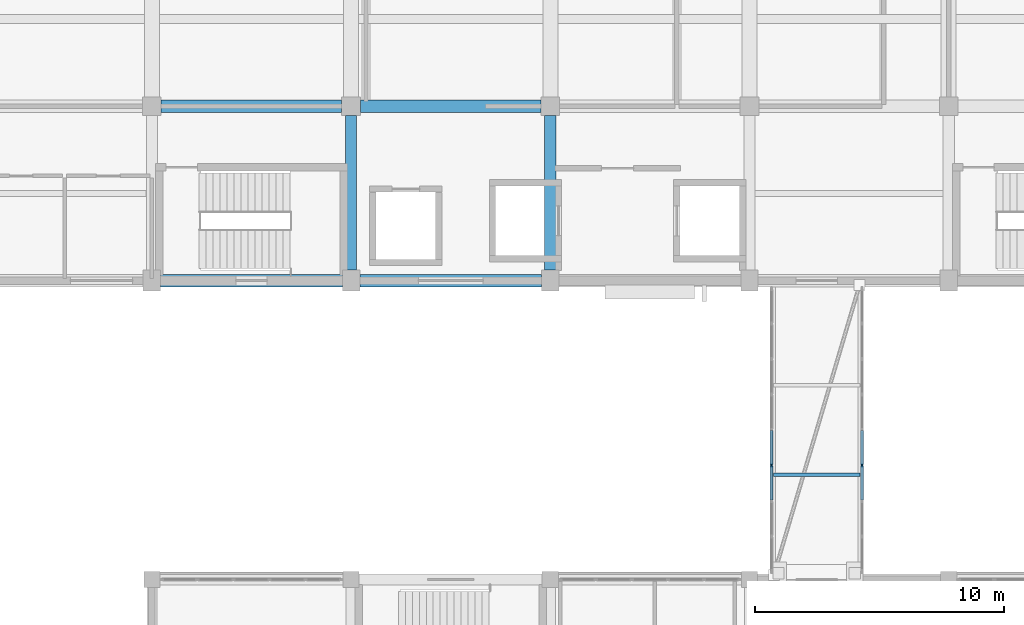
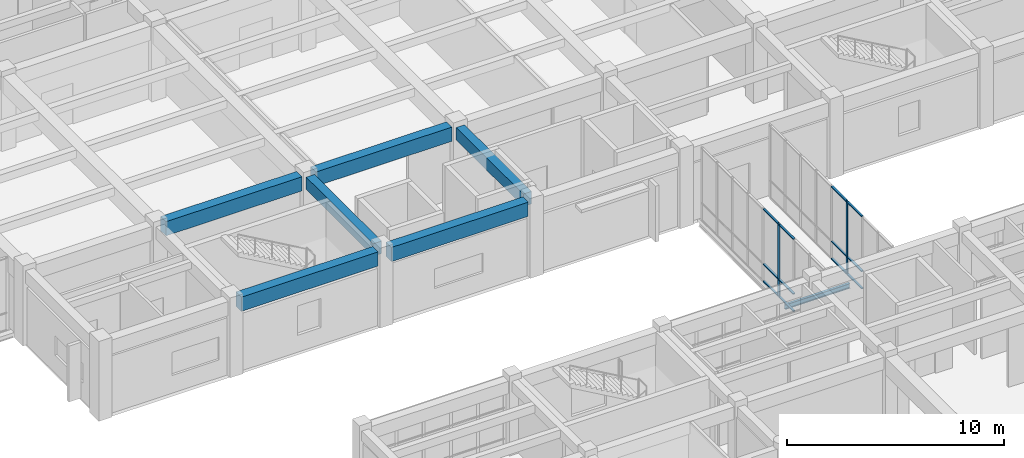
# One storey, part 23 of 70: 14 members, 7 beams, 2 elements without a shape of their own.
"""IFC4 building model written with IfcOpenShell, lengths in metres."""

from ifc_helpers import new_model, si_unit, direction, frame, origin, origin_2d, place, context, subcontext, project, spatial, rectangle, i_section, extrude, material, layer, layer_set, material_profile, profile_set, type_object, element, aggregate, save


model = new_model("IFC4")

# Units and contexts
model_context = context("Model", 3, precision=1e-05, world=origin(), true_north=direction((0.0, 1.0)))
body_context = subcontext(model_context, "Body", "Model", "MODEL_VIEW")
ifc_project = project(units=[si_unit("LENGTHUNIT", "METRE"), si_unit("AREAUNIT", "SQUARE_METRE"), si_unit("VOLUMEUNIT", "CUBIC_METRE"), si_unit("PLANEANGLEUNIT", "RADIAN"), si_unit("MASSUNIT", "GRAM", prefix="KILO")], contexts=[model_context])

# Site, building, storey
site_placement = place(None, origin())
site = spatial("IfcSite", under=ifc_project, at=site_placement, CompositionType="ELEMENT")
building_placement = place(site_placement, origin())
building = spatial("IfcBuilding", under=site, at=building_placement, Name="Naurynzar Civic Courthouse", CompositionType="ELEMENT")
storey_placement = place(building_placement, frame((0.0, 0.0, 5.39990234375)))
storey = spatial("IfcBuildingStorey", under=building, at=storey_placement, Name="L02", CompositionType="ELEMENT", Elevation=5.39990234375)

# Beams
ifc_material_1 = material(Name="Concrete C40/50", Category="concrete")
ifc_material_profile_1 = material_profile(ifc_material_1, rectangle(XDim=0.449951171875, YDim=0.699951171875, at=origin_2d()), Name="RCB 450x700")
ifc_profile_set_1 = profile_set([ifc_material_profile_1], Name="Concrete C40/50")
beam_type_1 = type_object("IfcBeamType", Name="BM-RC-450x700", PredefinedType="BEAM", material=ifc_profile_set_1)
for number, where, z_axis, x_axis, name in (
    (1, (77.0, 44.425048828125, 3.85009765625), (0.0, 1.0, 0.0), (-1.0, 0.0, 0.0), "V2 girder Y-505 L02"),
    (2, (85.0, 44.425048828125, 3.85009765625), (0.0, 1.0, 0.0), (-1.0, 0.0, 0.0), "V2 girder Y-508 L02"),
):
    element("IfcBeam", number, at=place(storey_placement, frame(where, z_axis=z_axis, x_axis=x_axis)), inside=storey, type_object=beam_type_1, Name=name, PredefinedType="BEAM", context=body_context, shape_type="SweptSolid", body=[
        extrude(rectangle(XDim=0.449951171875, YDim=0.699951171875, at=origin_2d()), origin(), (0.0, 0.0, 1.0), 6.199951171875),
    ])
ifc_material_2 = material(Name="Concrete C40/50", Category="concrete")
ifc_material_profile_2 = material_profile(ifc_material_2, rectangle(XDim=0.5, YDim=0.800048828125, at=origin_2d()), Name="RCB 500x800")
ifc_profile_set_2 = profile_set([ifc_material_profile_2], Name="Concrete C40/50")
beam_type_2 = type_object("IfcBeamType", Name="BM-RC-500x800", PredefinedType="BEAM", material=ifc_profile_set_2)
for number, where, z_axis, x_axis, name in (
    (3, (69.35009765625, 44.0, 3.800048828125), (1.0, 0.0, 0.0), (0.0, 1.0, 0.0), "V2 beam X-468 L02"),
    (4, (77.35009765625, 44.0, 3.800048828125), (1.0, 0.0, 0.0), (0.0, 1.0, 0.0), "V2 beam X-469 L02"),
):
    element("IfcBeam", number, at=place(storey_placement, frame(where, z_axis=z_axis, x_axis=x_axis)), inside=storey, type_object=beam_type_2, Name=name, PredefinedType="BEAM", context=body_context, shape_type="SweptSolid", body=[
        extrude(rectangle(XDim=0.5, YDim=0.800048828125, at=origin_2d()), origin(), (0.0, 0.0, 1.0), 7.2998046875),
    ])
for number, where, z_axis, x_axis, name in (
    (5, (69.375, 51.0, 3.800048828125), (1.0, 0.0, 0.0), (0.0, 1.0, 0.0), "V2 beam X-476 L02"),
    (6, (77.375, 51.0, 3.800048828125), (1.0, 0.0, 0.0), (0.0, 1.0, 0.0), "V2 beam X-477 L02"),
):
    element("IfcBeam", number, at=place(storey_placement, frame(where, z_axis=z_axis, x_axis=x_axis)), inside=storey, type_object=beam_type_2, Name=name, PredefinedType="BEAM", context=body_context, shape_type="SweptSolid", body=[
        extrude(rectangle(XDim=0.5, YDim=0.800048828125, at=origin_2d()), origin(), (0.0, 0.0, 1.0), 7.25),
    ])
ifc_material_3 = material(Name="Steel S355", Category="steel")
ifc_material_profile_3 = material_profile(ifc_material_3, i_section(OverallWidth=0.135009765625, OverallDepth=0.27001953125, WebThickness=0.006591796875, FlangeThickness=0.01025390625, FilletRadius=0.014892578125, at=origin_2d()), Name="IPE 270")
ifc_profile_set_3 = profile_set([ifc_material_profile_3], Name="Steel S355")
beam_type_3 = type_object("IfcBeamType", Name="BM-STL-IPE270", PredefinedType="BEAM", material=ifc_profile_set_3)
beam_placement = place(storey_placement, frame((93.969970703125, 36.2060546875, -0.375), z_axis=(1.0, 0.0, 0.0), x_axis=(0.0, 1.0, 0.0)))
element("IfcBeam", 7, at=beam_placement, inside=storey, type_object=beam_type_3, Name="BR-C1 deck cross-beam L02.1", PredefinedType="BEAM", context=body_context, shape_type="SweptSolid", body=[
    extrude(i_section(OverallWidth=0.135009765625, OverallDepth=0.27001953125, WebThickness=0.006591796875, FlangeThickness=0.01025390625, FilletRadius=0.014892578125, at=origin_2d()), origin(), (0.0, 0.0, 1.0), 3.4599609375),
])

# Curtain wall, member
ifc_material_4 = material(Name="Aluminium 6063-T6", Category="aluminium")
ifc_layer = layer(ifc_material_4, 0.14990234375)
ifc_layer_set = layer_set([ifc_layer], Name="CW-BRIDGE-1500")
curtain_wall_type = type_object("IfcCurtainWallType", Name="CW-BRIDGE-1500", PredefinedType="USERDEFINED", material=ifc_layer_set)
curtain_wall_1_placement = place(storey_placement, origin())
curtain_wall_1 = element("IfcCurtainWall", 8, at=curtain_wall_1_placement, inside=storey, type_object=curtain_wall_type, Name="BR-C1 glazed bridge screen L02.1", ObjectType="GLAZED BRIDGE SCREEN", PredefinedType="USERDEFINED")
ifc_material_5 = material(Name="Aluminium 6063-T6", Category="aluminium")
ifc_material_profile_4 = material_profile(ifc_material_5, rectangle(XDim=0.06005859375, YDim=0.14990234375, at=origin_2d()), Name="ALU MULLION 60x150")
ifc_profile_set_4 = profile_set([ifc_material_profile_4], Name="Aluminium 6063-T6")
member_type_1 = type_object("IfcMemberType", Name="CWM-60x150", PredefinedType="MULLION", material=ifc_profile_set_4)
member_1_placement = place(storey_placement, frame((93.8798828125, 36.574951171875, 0.0), z_axis=(0.0, 0.0, 1.0), x_axis=(1.0, 0.0, 0.0)))
member_1 = element("IfcMember", 9, at=member_1_placement, type_object=member_type_1, Name="CW-03 mullion 6", PredefinedType="MULLION", context=body_context, shape_type="SweptSolid", body=[
    extrude(rectangle(XDim=0.06005859375, YDim=0.14990234375, at=origin_2d()), origin(), (0.0, 0.0, 1.0), 4.1201171875),
])

curtain_wall_2_placement = place(storey_placement, origin())
curtain_wall_2 = element("IfcCurtainWall", 10, at=curtain_wall_2_placement, inside=storey, type_object=curtain_wall_type, Name="BR-C1 glazed bridge screen L02.2", ObjectType="GLAZED BRIDGE SCREEN", PredefinedType="USERDEFINED")
member_2_placement = place(storey_placement, frame((97.52001953125, 36.574951171875, 0.0), z_axis=(0.0, 0.0, 1.0), x_axis=(-1.0, 0.0, 0.0)))
member_2 = element("IfcMember", 11, at=member_2_placement, type_object=member_type_1, Name="CW-03 mullion 4", PredefinedType="MULLION", context=body_context, shape_type="SweptSolid", body=[
    extrude(rectangle(XDim=0.06005859375, YDim=0.14990234375, at=origin_2d()), origin(), (0.0, 0.0, 1.0), 4.1201171875),
])

# Member
ifc_material_6 = material(Name="Aluminium 6063-T6", Category="aluminium")
ifc_material_profile_5 = material_profile(ifc_material_6, rectangle(XDim=0.110107421875, YDim=0.06005859375, at=origin_2d()), Name="ALU TRANSOM 60x110")
ifc_profile_set_5 = profile_set([ifc_material_profile_5], Name="Aluminium 6063-T6")
member_type_2 = type_object("IfcMemberType", Name="CWT-60x110", PredefinedType="USERDEFINED", material=ifc_profile_set_5)
member_3_placement = place(storey_placement, frame((93.8798828125, 37.969970703125, 0.030029296875), z_axis=(0.0, -1.0, 0.0), x_axis=(1.0, 0.0, 0.0)))
member_3 = element("IfcMember", 12, at=member_3_placement, type_object=member_type_2, Name="CW-03 transom 5.1", ObjectType="TRANSOM", PredefinedType="USERDEFINED", context=body_context, shape_type="SweptSolid", body=[
    extrude(rectangle(XDim=0.110107421875, YDim=0.06005859375, at=origin_2d()), origin(), (0.0, 0.0, 1.0), 1.364990234375),
])

member_4_placement = place(storey_placement, frame((93.8798828125, 37.969970703125, 1.0), z_axis=(0.0, -1.0, 0.0), x_axis=(1.0, 0.0, 0.0)))
member_4 = element("IfcMember", 13, at=member_4_placement, type_object=member_type_2, Name="CW-03 transom 5.2", ObjectType="TRANSOM", PredefinedType="USERDEFINED", context=body_context, shape_type="SweptSolid", body=[
    extrude(rectangle(XDim=0.110107421875, YDim=0.06005859375, at=origin_2d()), origin(), (0.0, 0.0, 1.0), 1.364990234375),
])

member_5_placement = place(storey_placement, frame((93.8798828125, 37.969970703125, 4.090087890625), z_axis=(0.0, -1.0, 0.0), x_axis=(1.0, 0.0, 0.0)))
member_5 = element("IfcMember", 14, at=member_5_placement, type_object=member_type_2, Name="CW-03 transom 5.3", ObjectType="TRANSOM", PredefinedType="USERDEFINED", context=body_context, shape_type="SweptSolid", body=[
    extrude(rectangle(XDim=0.110107421875, YDim=0.06005859375, at=origin_2d()), origin(), (0.0, 0.0, 1.0), 1.364990234375),
])

member_6_placement = place(storey_placement, frame((93.8798828125, 36.544921875, 0.030029296875), z_axis=(0.0, -1.0, 0.0), x_axis=(1.0, 0.0, 0.0)))
member_6 = element("IfcMember", 15, at=member_6_placement, type_object=member_type_2, Name="CW-03 transom 6.1", ObjectType="TRANSOM", PredefinedType="USERDEFINED", context=body_context, shape_type="SweptSolid", body=[
    extrude(rectangle(XDim=0.110107421875, YDim=0.06005859375, at=origin_2d()), origin(), (0.0, 0.0, 1.0), 1.364990234375),
])

member_7_placement = place(storey_placement, frame((93.8798828125, 36.544921875, 1.0), z_axis=(0.0, -1.0, 0.0), x_axis=(1.0, 0.0, 0.0)))
member_7 = element("IfcMember", 16, at=member_7_placement, type_object=member_type_2, Name="CW-03 transom 6.2", ObjectType="TRANSOM", PredefinedType="USERDEFINED", context=body_context, shape_type="SweptSolid", body=[
    extrude(rectangle(XDim=0.110107421875, YDim=0.06005859375, at=origin_2d()), origin(), (0.0, 0.0, 1.0), 1.364990234375),
])

member_8_placement = place(storey_placement, frame((93.8798828125, 36.544921875, 4.090087890625), z_axis=(0.0, -1.0, 0.0), x_axis=(1.0, 0.0, 0.0)))
member_8 = element("IfcMember", 17, at=member_8_placement, type_object=member_type_2, Name="CW-03 transom 6.3", ObjectType="TRANSOM", PredefinedType="USERDEFINED", context=body_context, shape_type="SweptSolid", body=[
    extrude(rectangle(XDim=0.110107421875, YDim=0.06005859375, at=origin_2d()), origin(), (0.0, 0.0, 1.0), 1.364990234375),
])

aggregate(curtain_wall_1, [member_1, member_3, member_4, member_5, member_6, member_7, member_8])

member_9_placement = place(storey_placement, frame((97.52001953125, 35.179931640625, 0.030029296875), z_axis=(0.0, 1.0, 0.0), x_axis=(-1.0, 0.0, 0.0)))
member_9 = element("IfcMember", 18, at=member_9_placement, type_object=member_type_2, Name="CW-03 transom 3.1", ObjectType="TRANSOM", PredefinedType="USERDEFINED", context=body_context, shape_type="SweptSolid", body=[
    extrude(rectangle(XDim=0.110107421875, YDim=0.06005859375, at=origin_2d()), origin(), (0.0, 0.0, 1.0), 1.364990234375),
])

member_10_placement = place(storey_placement, frame((97.52001953125, 35.179931640625, 1.0), z_axis=(0.0, 1.0, 0.0), x_axis=(-1.0, 0.0, 0.0)))
member_10 = element("IfcMember", 19, at=member_10_placement, type_object=member_type_2, Name="CW-03 transom 3.2", ObjectType="TRANSOM", PredefinedType="USERDEFINED", context=body_context, shape_type="SweptSolid", body=[
    extrude(rectangle(XDim=0.110107421875, YDim=0.06005859375, at=origin_2d()), origin(), (0.0, 0.0, 1.0), 1.364990234375),
])

member_11_placement = place(storey_placement, frame((97.52001953125, 35.179931640625, 4.090087890625), z_axis=(0.0, 1.0, 0.0), x_axis=(-1.0, 0.0, 0.0)))
member_11 = element("IfcMember", 20, at=member_11_placement, type_object=member_type_2, Name="CW-03 transom 3.3", ObjectType="TRANSOM", PredefinedType="USERDEFINED", context=body_context, shape_type="SweptSolid", body=[
    extrude(rectangle(XDim=0.110107421875, YDim=0.06005859375, at=origin_2d()), origin(), (0.0, 0.0, 1.0), 1.364990234375),
])

member_12_placement = place(storey_placement, frame((97.52001953125, 36.60498046875, 0.030029296875), z_axis=(0.0, 1.0, 0.0), x_axis=(-1.0, 0.0, 0.0)))
member_12 = element("IfcMember", 21, at=member_12_placement, type_object=member_type_2, Name="CW-03 transom 4.1", ObjectType="TRANSOM", PredefinedType="USERDEFINED", context=body_context, shape_type="SweptSolid", body=[
    extrude(rectangle(XDim=0.110107421875, YDim=0.06005859375, at=origin_2d()), origin(), (0.0, 0.0, 1.0), 1.364990234375),
])

member_13_placement = place(storey_placement, frame((97.52001953125, 36.60498046875, 1.0), z_axis=(0.0, 1.0, 0.0), x_axis=(-1.0, 0.0, 0.0)))
member_13 = element("IfcMember", 22, at=member_13_placement, type_object=member_type_2, Name="CW-03 transom 4.2", ObjectType="TRANSOM", PredefinedType="USERDEFINED", context=body_context, shape_type="SweptSolid", body=[
    extrude(rectangle(XDim=0.110107421875, YDim=0.06005859375, at=origin_2d()), origin(), (0.0, 0.0, 1.0), 1.364990234375),
])

member_14_placement = place(storey_placement, frame((97.52001953125, 36.60498046875, 4.090087890625), z_axis=(0.0, 1.0, 0.0), x_axis=(-1.0, 0.0, 0.0)))
member_14 = element("IfcMember", 23, at=member_14_placement, type_object=member_type_2, Name="CW-03 transom 4.3", ObjectType="TRANSOM", PredefinedType="USERDEFINED", context=body_context, shape_type="SweptSolid", body=[
    extrude(rectangle(XDim=0.110107421875, YDim=0.06005859375, at=origin_2d()), origin(), (0.0, 0.0, 1.0), 1.364990234375),
])

aggregate(curtain_wall_2, [member_2, member_9, member_10, member_11, member_12, member_13, member_14])

save(model, "model.ifc")
